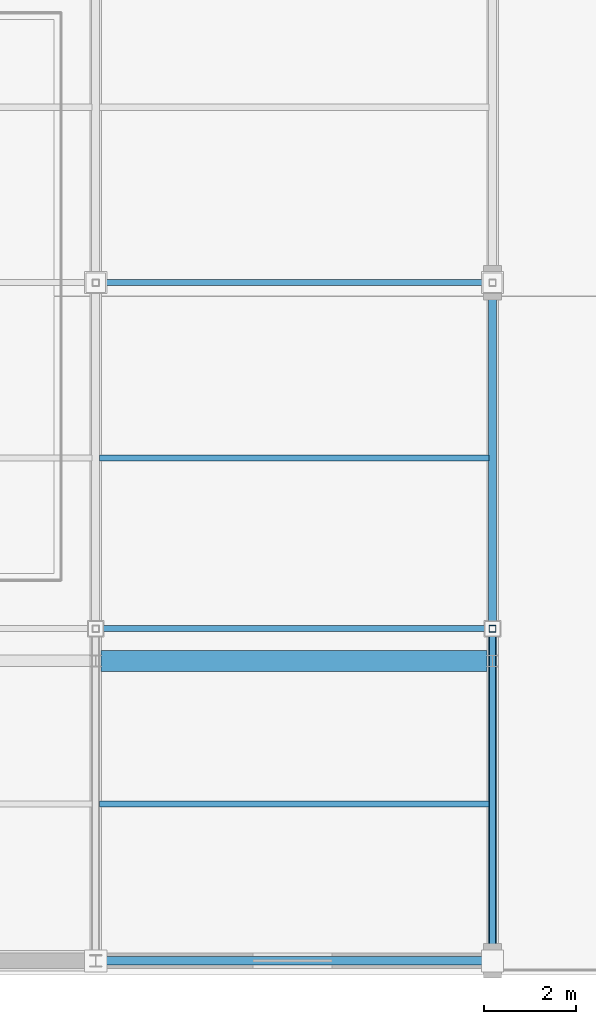
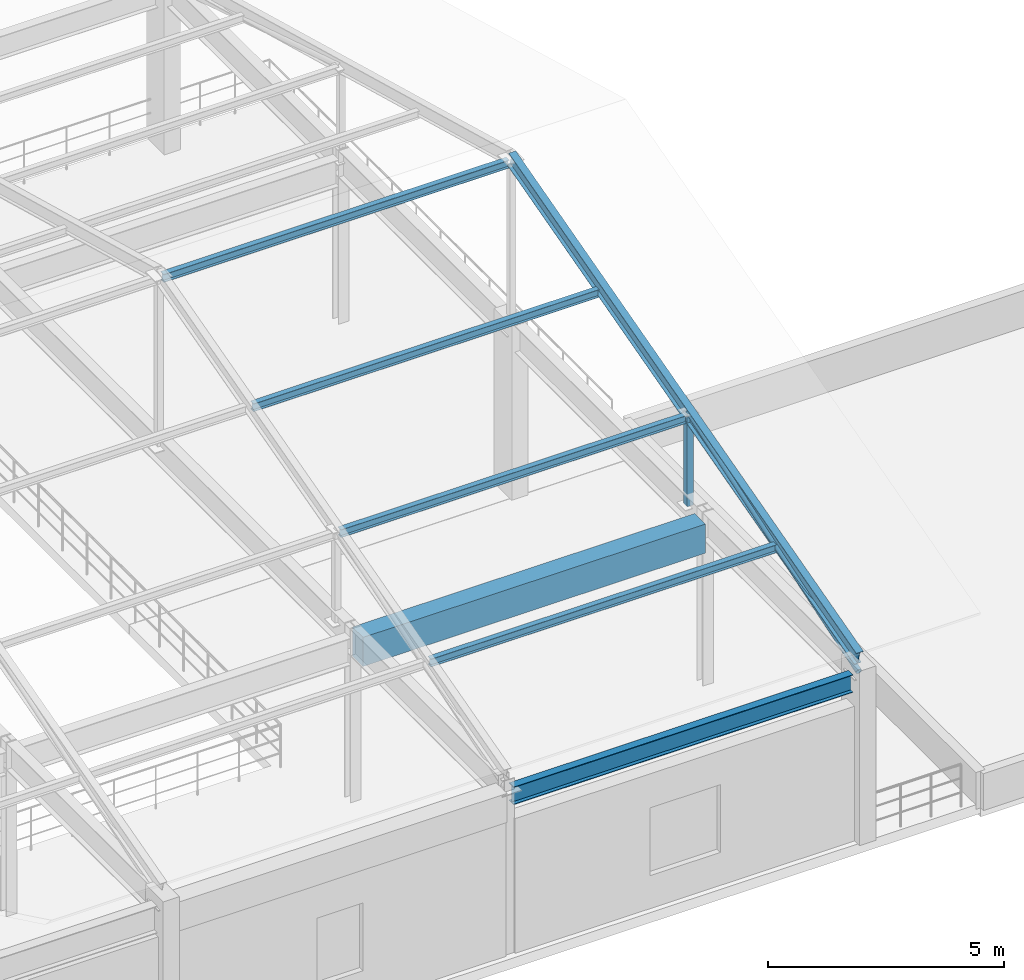
# One storey, part 34 of 112: 7 members, 2 beams.
"""IFC4 building model written with IfcOpenShell, lengths in metres."""

from ifc_helpers import new_model, si_unit, direction, frame, origin, origin_2d, place, context, subcontext, project, spatial, rectangle, hollow_rectangle, hollow_circle, i_section, extrude, material, material_profile, profile_set, type_object, element, save


model = new_model("IFC4")

# Units and contexts
model_context = context("Model", 3, precision=1e-05, world=origin(), true_north=direction((0.0, 1.0)))
body_context = subcontext(model_context, "Body", "Model", "MODEL_VIEW")
ifc_project = project(units=[si_unit("LENGTHUNIT", "METRE"), si_unit("AREAUNIT", "SQUARE_METRE"), si_unit("VOLUMEUNIT", "CUBIC_METRE"), si_unit("PLANEANGLEUNIT", "RADIAN"), si_unit("MASSUNIT", "GRAM", prefix="KILO")], contexts=[model_context])

# Site, building, storey
site_placement = place(None, origin())
site = spatial("IfcSite", under=ifc_project, at=site_placement, CompositionType="ELEMENT")
building_placement = place(site_placement, origin())
building = spatial("IfcBuilding", under=site, at=building_placement, Name="Cinderbank Siding Concert Hall", CompositionType="ELEMENT")
storey_placement = place(building_placement, frame((0.0, 0.0, 10.199951171875)))
storey = spatial("IfcBuildingStorey", under=building, at=storey_placement, Name="L03", CompositionType="ELEMENT", Elevation=10.199951171875)

# Beams
ifc_material_1 = material(Name="Reinforced concrete AS 3600 N50 (50 MPa)", Category="concrete")
ifc_material_profile_1 = material_profile(ifc_material_1, rectangle(XDim=0.449951171875, YDim=0.75, at=origin_2d()), Name="RC-BM-450x750", Category="LoadBearing")
ifc_profile_set_1 = profile_set([ifc_material_profile_1], Name="Reinforced concrete AS 3600 N50 (50 MPa)")
beam_type_1 = type_object("IfcBeamType", Name="BM-RC750 RC-BM-450x750", PredefinedType="BEAM", material=ifc_profile_set_1)
beam_1_placement = place(storey_placement, frame((37.51904296875, 12.60009765625, 3.866943359375), z_axis=(1.0, 0.0, 0.0), x_axis=(0.0, 1.0, 0.0)))
element("IfcBeam", 1, at=beam_1_placement, inside=storey, type_object=beam_type_1, Name="L03 Beam BM-RC750 #1727", PredefinedType="BEAM", context=body_context, shape_type="SweptSolid", body=[
    extrude(rectangle(XDim=0.449951171875, YDim=0.75, at=origin_2d()), origin(), (0.0, 0.0, 1.0), 8.362060546875),
])
ifc_material_2 = material(Name="Structural steel AS/NZS 3679.1 Grade 350 (340 MPa)", Category="steel")
ifc_material_profile_2 = material_profile(ifc_material_2, i_section(OverallWidth=0.18994140625, OverallDepth=0.45751953125, WebThickness=0.009033203125, FlangeThickness=0.014404296875, at=origin_2d()), Name="460UB74.6", Category="LoadBearing")
ifc_profile_set_2 = profile_set([ifc_material_profile_2], Name="Structural steel AS/NZS 3679.1 Grade 350 (340 MPa)")
beam_type_2 = type_object("IfcBeamType", Name="BM-UB460 460UB74.6", PredefinedType="BEAM", material=ifc_profile_set_2)
beam_2_placement = place(storey_placement, frame((37.51904296875, 6.10009765625, 4.013427734375), z_axis=(1.0, 0.0, 0.0), x_axis=(0.0, 1.0, 0.0)))
element("IfcBeam", 2, at=beam_2_placement, inside=storey, type_object=beam_type_2, Name="L03 Beam BM-UB460 #1726", PredefinedType="BEAM", context=body_context, shape_type="SweptSolid", body=[
    extrude(i_section(OverallWidth=0.18994140625, OverallDepth=0.45751953125, WebThickness=0.009033203125, FlangeThickness=0.014404296875, at=origin_2d()), origin(), (0.0, 0.0, 1.0), 8.2890625),
])

# Members
ifc_material_3 = material(Name="Structural steel hollow section AS/NZS 1163 Grade C350L0 (350 MPa)", Category="steel")
ifc_material_profile_3 = material_profile(ifc_material_3, hollow_circle(Radius=0.06982421875, WallThickness=0.00634765625, at=origin_2d()), Name="139.7x6.4CHS", Category="LoadBearing")
ifc_profile_set_3 = profile_set([ifc_material_profile_3], Name="Structural steel hollow section AS/NZS 1163 Grade C350L0 (350 MPa)")
member_type_1 = type_object("IfcMemberType", Name="BR-CHS139 139.7x6.4CHS Roof Truss", PredefinedType="BRACE", material=ifc_profile_set_3)
member_1_placement = place(storey_placement, frame((46.0, 6.10009765625, 4.199951171875), z_axis=(0.0, 0.950640778961, 0.310293585781), x_axis=(-1.0, 0.0, 0.0)))
element("IfcMember", 3, at=member_1_placement, inside=storey, type_object=member_type_1, Name="L03 Diagonal Brace BR-CHS139 #V2DG-BR-CHS139-L03-2408", PredefinedType="BRACE", context=body_context, shape_type="SweptSolid", body=[
    extrude(hollow_circle(Radius=0.06982421875, WallThickness=0.00634765625, at=origin_2d()), origin(), (0.0, 0.0, 1.0), 7.57373046875),
])
ifc_material_profile_4 = material_profile(ifc_material_3, hollow_rectangle(XDim=0.14990234375, YDim=0.14990234375, WallThickness=0.008056640625, at=origin_2d()), Name="150x150x8.0SHS", Category="LoadBearing")
ifc_profile_set_4 = profile_set([ifc_material_profile_4], Name="Structural steel hollow section AS/NZS 1163 Grade C350L0 (350 MPa)")
member_type_2 = type_object("IfcMemberType", Name="BR-SHS150 150x150x8.0SHS Roof Truss", PredefinedType="BRACE", material=ifc_profile_set_4)
member_2_placement = place(storey_placement, frame((46.0, 13.300048828125, 4.150146484375), z_axis=(0.0, 0.0, 1.0), x_axis=(1.0, 0.0, 0.0)))
element("IfcMember", 4, at=member_2_placement, inside=storey, type_object=member_type_2, Name="L03 Diagonal Brace BR-SHS150 #V2WB-BR-SHS150-L03-2405", PredefinedType="BRACE", context=body_context, shape_type="SweptSolid", body=[
    extrude(hollow_rectangle(XDim=0.14990234375, YDim=0.14990234375, WallThickness=0.008056640625, at=origin_2d()), origin(), (0.0, 0.0, 1.0), 2.39990234375),
])
ifc_material_profile_5 = material_profile(ifc_material_2, i_section(OverallWidth=0.133056640625, OverallDepth=0.203125, WebThickness=0.005859375, FlangeThickness=0.0078125, at=origin_2d()), Name="200UB25.4", Category="LoadBearing")
ifc_profile_set_5 = profile_set([ifc_material_profile_5], Name="Structural steel AS/NZS 3679.1 Grade 350 (340 MPa)")
member_type_3 = type_object("IfcMemberType", Name="PR-UB200 200UB25.4 Roof Truss", PredefinedType="PURLIN", material=ifc_profile_set_5)
for number, where, z_axis, x_axis, name in (
    (5, (37.47998046875, 9.5, 5.375244140625), (1.0, 0.0, 0.0), (0.0, 1.0, 0.0), "L03 Roof Truss Member PR-UB200 #2431"),
    (6, (37.47998046875, 13.300048828125, 6.4091796875), (1.0, 0.0, 0.0), (0.0, 1.0, 0.0), "L03 Roof Truss Member PR-UB200 #2432"),
    (7, (37.47998046875, 17.0, 7.416015625), (1.0, 0.0, 0.0), (0.0, 1.0, 0.0), "L03 Roof Truss Member PR-UB200 #2433"),
):
    element("IfcMember", number, at=place(storey_placement, frame(where, z_axis=z_axis, x_axis=x_axis)), inside=storey, type_object=member_type_3, Name=name, PredefinedType="PURLIN", context=body_context, shape_type="SweptSolid", body=[
        extrude(i_section(OverallWidth=0.133056640625, OverallDepth=0.203125, WebThickness=0.005859375, FlangeThickness=0.0078125, at=origin_2d()), origin(), (0.0, 0.0, 1.0), 8.43994140625),
    ])
ifc_material_profile_6 = material_profile(ifc_material_2, i_section(OverallWidth=0.134033203125, OverallDepth=0.20703125, WebThickness=0.00634765625, FlangeThickness=0.009521484375, at=origin_2d()), Name="200UB29.8", Category="LoadBearing")
ifc_profile_set_6 = profile_set([ifc_material_profile_6], Name="Structural steel AS/NZS 3679.1 Grade 350 (340 MPa)")
member_type_4 = type_object("IfcMemberType", Name="PR-UB200H 200UB29.8 Roof Truss", PredefinedType="PURLIN", material=ifc_profile_set_6)
member_3_placement = place(storey_placement, frame((37.47998046875, 20.800048828125, 8.449951171875), z_axis=(1.0, 0.0, 0.0), x_axis=(0.0, 1.0, 0.0)))
element("IfcMember", 8, at=member_3_placement, inside=storey, type_object=member_type_4, Name="L03 Roof Truss Member PR-UB200H #2434", PredefinedType="PURLIN", context=body_context, shape_type="SweptSolid", body=[
    extrude(i_section(OverallWidth=0.134033203125, OverallDepth=0.20703125, WebThickness=0.00634765625, FlangeThickness=0.009521484375, at=origin_2d()), origin(), (0.0, 0.0, 1.0), 8.43994140625),
])
ifc_material_profile_7 = material_profile(ifc_material_2, i_section(OverallWidth=0.172119140625, OverallDepth=0.358642578125, WebThickness=0.008056640625, FlangeThickness=0.012939453125, at=origin_2d()), Name="360UB56.7", Category="LoadBearing")
ifc_profile_set_7 = profile_set([ifc_material_profile_7], Name="Structural steel AS/NZS 3679.1 Grade 350 (340 MPa)")
member_type_5 = type_object("IfcMemberType", Name="TR-UB360 360UB56.7 Roof Truss", PredefinedType="RAFTER", material=ifc_profile_set_7)
member_4_placement = place(storey_placement, frame((46.0, 6.10009765625, 4.550048828125), z_axis=(0.0, 0.964914918446, 0.26256275471), x_axis=(-1.0, 0.0, 0.0)))
element("IfcMember", 9, at=member_4_placement, inside=storey, type_object=member_type_5, Name="L03 Roof Truss Member TR-UB360 #2403", PredefinedType="RAFTER", context=body_context, shape_type="SweptSolid", body=[
    extrude(i_section(OverallWidth=0.172119140625, OverallDepth=0.358642578125, WebThickness=0.008056640625, FlangeThickness=0.012939453125, at=origin_2d()), origin(), (0.0, 0.0, 1.0), 15.234375),
])

save(model, "model.ifc")
